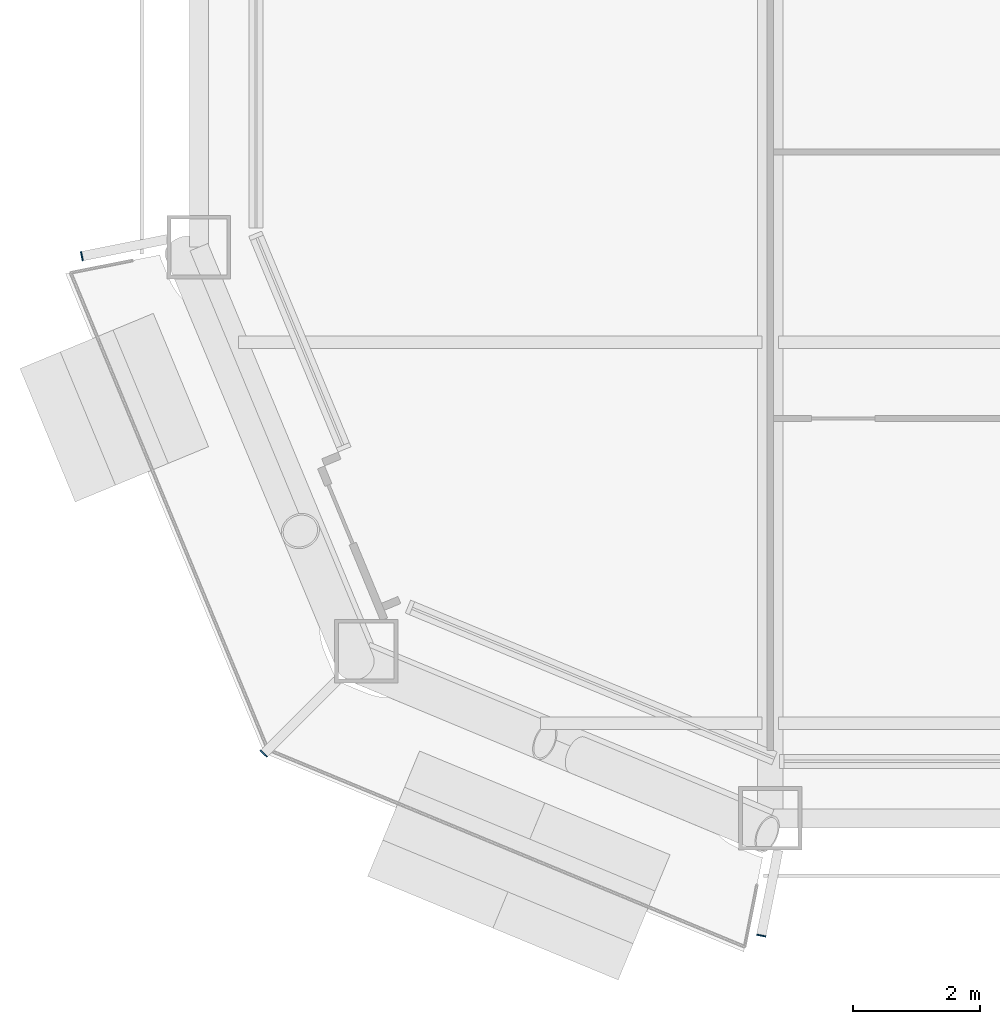
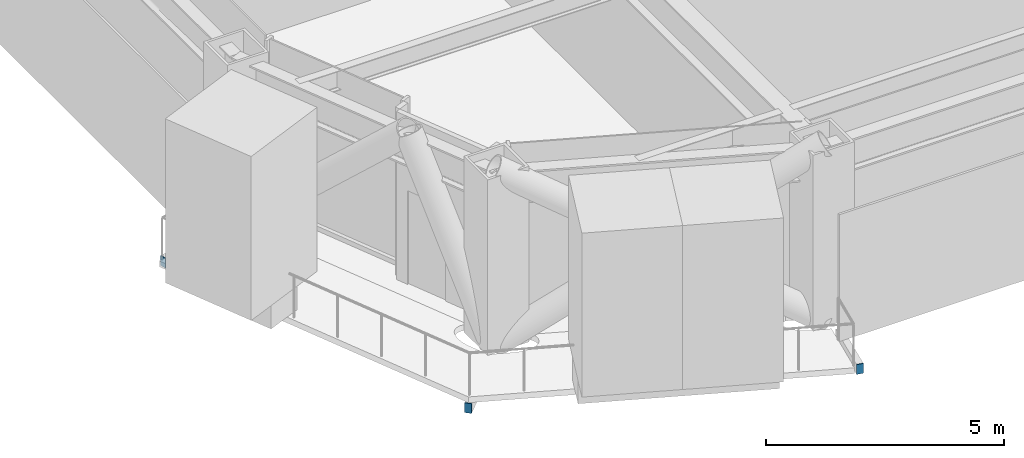
# One storey, part 18 of 27: 3 discrete accessories.
"""IFC4 building model written with IfcOpenShell, lengths in metres."""

import ifcopenshell
import ifcopenshell.guid

model = None  # the IFC model being written
_history = None  # IfcOwnerHistory: only IFC2X3 demands one
_inside = {}  # id of a spatial element -> (the spatial element, [elements in it])
_under = {}  # id of a project, library or spatial element -> (it, [spatial elements below it])
_declared = {}  # id of a project -> (the project, [libraries it declares])
_typed = {}  # id of a type object -> (the type object, [elements of that type])
_made_of = {}  # id of a material, layer set ... -> (it, [elements and type objects made of it])


def new_model(schema):
    """Start an empty IFC model of exactly this schema.

    Asked for "IFC4X3", IfcOpenShell would pick the latest addendum, in which some entities
    have other attributes; the version numbers below select the first issue.
    IFC2X3 requires an IfcOwnerHistory on every rooted entity: one is made here for all.
    """
    global model, _history
    if schema == "IFC4X3":
        model = ifcopenshell.file(schema_version=(4, 3, 0, 0))
    else:
        model = ifcopenshell.file(schema=schema)
    _inside.clear()
    _under.clear()
    _declared.clear()
    _typed.clear()
    _made_of.clear()
    _history = None
    if model.schema == "IFC2X3":
        org = make("IfcOrganization", Name="unknown")
        user = make(
            "IfcPersonAndOrganization",
            ThePerson=make("IfcPerson", FamilyName="unknown"),
            TheOrganization=org,
        )
        app = make(
            "IfcApplication",
            ApplicationDeveloper=org,
            Version="unknown",
            ApplicationFullName="unknown",
            ApplicationIdentifier="unknown",
        )
        _history = make(
            "IfcOwnerHistory",
            OwningUser=user,
            OwningApplication=app,
            ChangeAction="ADDED",
            CreationDate=0,
        )
    return model


def make(cls, **values):
    """One entity of the class cls with the attributes given. An attribute that is None is left unset."""
    return model.create_entity(
        cls, **{name: value for name, value in values.items() if value is not None}
    )


def rooted(cls, **values):
    """An entity with a GlobalId (a new one), such as an element, a storey or a relation."""
    return make(cls, GlobalId=ifcopenshell.guid.new(), OwnerHistory=_history, **values)


def si_unit(unit_type, name, prefix=None):
    """IfcSIUnit, for example si_unit("LENGTHUNIT", "METRE", prefix="MILLI")."""
    return make("IfcSIUnit", UnitType=unit_type, Prefix=prefix, Name=name)


def assignment(units):
    """IfcUnitAssignment: the units of a project."""
    return None if units is None else make("IfcUnitAssignment", Units=units)


def point(xyz):
    """IfcCartesianPoint."""
    return None if xyz is None else make("IfcCartesianPoint", Coordinates=xyz)


def direction(xyz):
    """IfcDirection."""
    return None if xyz is None else make("IfcDirection", DirectionRatios=xyz)


def frame(location, z_axis=None, x_axis=None):
    """IfcAxis2Placement3D, a coordinate frame: its origin and axes. An axis left out is left unset."""
    return make(
        "IfcAxis2Placement3D",
        Location=point(location),
        Axis=direction(z_axis),
        RefDirection=direction(x_axis),
    )


def frame_2d(location, x_axis=None):
    """IfcAxis2Placement2D, a coordinate frame in the plane: its origin and x axis."""
    return make(
        "IfcAxis2Placement2D", Location=point(location), RefDirection=direction(x_axis)
    )


def origin():
    """The frame at (0, 0, 0) with its axes left unset."""
    return frame((0.0, 0.0, 0.0))


def origin_2d():
    """The frame at (0, 0) in the plane with its x axis left unset."""
    return frame_2d((0.0, 0.0))


def place(relative_to, where):
    """IfcLocalPlacement: puts the frame where relative to a parent placement (None: the world)."""
    return make(
        "IfcLocalPlacement", PlacementRelTo=relative_to, RelativePlacement=where
    )


def context(
    kind, dimensions, precision=None, world=None, true_north=None, identifier=None
):
    """IfcGeometricRepresentationContext, for example the 3D "Model" context."""
    return make(
        "IfcGeometricRepresentationContext",
        ContextIdentifier=identifier,
        ContextType=kind,
        CoordinateSpaceDimension=dimensions,
        Precision=precision,
        WorldCoordinateSystem=world,
        TrueNorth=true_north,
    )


def subcontext(parent, identifier, kind, view, scale=None):
    """IfcGeometricRepresentationSubContext, for example "Body" below "Model"."""
    return make(
        "IfcGeometricRepresentationSubContext",
        ContextIdentifier=identifier,
        ContextType=kind,
        ParentContext=parent,
        TargetScale=scale,
        TargetView=view,
    )


def project(units=None, contexts=None):
    """IfcProject with its units and contexts."""
    return rooted(
        "IfcProject",
        Name="project",
        RepresentationContexts=contexts,
        UnitsInContext=assignment(units),
    )


def spatial(cls, under=None, at=None, **own):
    """A site, building, storey or space (cls), placed at a placement, below another one or the project."""
    s = rooted(cls, ObjectPlacement=at, **own)
    if under is not None:
        _under.setdefault(under.id(), (under, []))[1].append(s)
    return s


def profile(cls, at=None, kind="AREA", **sizes):
    """A parametric profile (cls). Its sizes go by their IFC names, for example OverallWidth=200.0."""
    return make(cls, ProfileType=kind, Position=at, **sizes)


def rectangle(**sizes):
    """IfcRectangleProfileDef."""
    return profile("IfcRectangleProfileDef", **sizes)


def extrude(swept, where, along, depth):
    """IfcExtrudedAreaSolid: the profile swept, set in the frame where, extruded along a direction by depth."""
    return make(
        "IfcExtrudedAreaSolid",
        SweptArea=swept,
        Position=where,
        ExtrudedDirection=direction(along),
        Depth=depth,
    )


def shape(context_of_items, identifier, shape_type, items):
    """IfcShapeRepresentation: the items that make up one representation, for example the "Body"."""
    return make(
        "IfcShapeRepresentation",
        ContextOfItems=context_of_items,
        RepresentationIdentifier=identifier,
        RepresentationType=shape_type,
        Items=items,
    )


def material(Name=None, Category=None):
    """IfcMaterial."""
    return make("IfcMaterial", Name=Name, Category=Category)


def layer(
    of_material, thickness, ventilated=None, Name=None, Category=None, Priority=None
):
    """IfcMaterialLayer: one layer of a wall or slab, of a material (None: an air gap)."""
    return make(
        "IfcMaterialLayer",
        Material=of_material,
        LayerThickness=thickness,
        IsVentilated=ventilated,
        Name=Name,
        Category=Category,
        Priority=Priority,
    )


def layer_set(layers, Name=None):
    """IfcMaterialLayerSet."""
    return make("IfcMaterialLayerSet", MaterialLayers=layers, LayerSetName=Name)


def made_of(thing, what):
    """Note that an element or type object is made of a material, layer set ...; save() writes the relation."""
    if what is not None:
        _made_of.setdefault(what.id(), (what, []))[1].append(thing)
    return thing


def type_object(cls, material=None, **own):
    """A type object (cls), such as IfcWallType, which elements share."""
    return made_of(rooted(cls, **own), material)


def element(
    cls,
    number,
    at=None,
    inside=None,
    cuts=None,
    type_object=None,
    material=None,
    context=None,
    identifier="Body",
    shape_type=None,
    held_by="IfcProductDefinitionShape",
    body=None,
    shapes=None,
    **own,
):
    """One element of the class cls, such as IfcWall. Its Tag is "e" and its number.

    at: its placement. inside: the storey or other place that contains it. cuts: it is an
    opening in that element (IfcRelVoidsElement). A single representation is given by context,
    identifier, shape_type and body (its items); several are given by shapes. held_by: the class
    of the entity that holds the representations. save() writes the other relations.
    """
    e = rooted(cls, Tag="e%d" % number, ObjectPlacement=at, **own)
    if body is not None:
        shapes = [shape(context, identifier, shape_type, body)]
    if shapes is not None:
        e.Representation = make(held_by, Representations=shapes)
    if inside is not None:
        _inside.setdefault(inside.id(), (inside, []))[1].append(e)
    if cuts is not None:
        rooted(
            "IfcRelVoidsElement", RelatingBuildingElement=cuts, RelatedOpeningElement=e
        )
    if type_object is not None:
        _typed.setdefault(type_object.id(), (type_object, []))[1].append(e)
    return made_of(e, material)


def aggregate(whole, parts):
    """IfcRelAggregates: a whole, such as a stair, and the parts it consists of."""
    return rooted("IfcRelAggregates", RelatingObject=whole, RelatedObjects=parts)


def save(model, path):
    """Write the relations noted so far, then the file.

    IfcRelAggregates (storeys below a building ...), IfcRelContainedInSpatialStructure (elements
    in a storey), IfcRelDefinesByType, IfcRelAssociatesMaterial and IfcRelDeclares: one each for
    every whole, place, type object, material and project.
    """
    for whole, parts in _under.values():
        aggregate(whole, parts)
    for where, things in _inside.values():
        rooted(
            "IfcRelContainedInSpatialStructure",
            RelatedElements=things,
            RelatingStructure=where,
        )
    for kind, things in _typed.values():
        rooted("IfcRelDefinesByType", RelatedObjects=things, RelatingType=kind)
    for what, things in _made_of.values():
        rooted("IfcRelAssociatesMaterial", RelatedObjects=things, RelatingMaterial=what)
    for by, libraries in _declared.values():
        rooted("IfcRelDeclares", RelatingContext=by, RelatedDefinitions=libraries)
    model.write(path)


model = new_model("IFC4")

# Units and contexts
model_context = context("Model", 3, precision=1e-05, world=origin(), true_north=direction((0.0, 1.0)))
body_context = subcontext(model_context, "Body", "Model", "MODEL_VIEW")
ifc_project = project(units=[si_unit("LENGTHUNIT", "METRE"), si_unit("AREAUNIT", "SQUARE_METRE"), si_unit("VOLUMEUNIT", "CUBIC_METRE"), si_unit("PLANEANGLEUNIT", "RADIAN"), si_unit("MASSUNIT", "GRAM", prefix="KILO")], contexts=[model_context])

# Site, building, storey
site_placement = place(None, origin())
site = spatial("IfcSite", under=ifc_project, at=site_placement, CompositionType="ELEMENT")
building_placement = place(site_placement, origin())
building = spatial("IfcBuilding", under=site, at=building_placement, Name="Siwar Civic Tower", CompositionType="ELEMENT")
storey_placement = place(building_placement, frame((0.0, 0.0, 89.699951171875)))
storey = spatial("IfcBuildingStorey", under=building, at=storey_placement, Name="L19", CompositionType="ELEMENT", Elevation=89.699951171875)

# Discrete accessories
ifc_material = material(Name="Steel S355", Category="steel")
ifc_layer = layer(ifc_material, 0.02001953125)
ifc_layer_set = layer_set([ifc_layer], Name="Steel S355")
discrete_accessory_type = type_object("IfcDiscreteAccessoryType", Name="STR-END-CAP", PredefinedType="USERDEFINED", material=ifc_layer_set)
for number, where, z_axis, x_axis, name in (
    (1, (-33.3447265625, -22.642578125, -0.39990234375), (0.0, 0.0, 1.0), (-0.980785280383, -0.195090322119, 0.0), "End cap plate Balcony cantilever beam SW 1"),
    (2, (-30.478271484375, -30.478271484375, -0.39990234375), (0.0, 0.0, 1.0), (-0.707106781187, -0.707106781187, 0.0), "End cap plate Balcony cantilever beam SW 2"),
    (3, (-22.642578125, -33.3447265625, -0.39990234375), (0.0, 0.0, 1.0), (-0.195090322119, -0.980785280383, 0.0), "End cap plate Balcony cantilever beam SW 3"),
):
    element("IfcDiscreteAccessory", number, at=place(storey_placement, frame(where, z_axis=z_axis, x_axis=x_axis)), inside=storey, type_object=discrete_accessory_type, Name=name, ObjectType="END CAP PLATE", PredefinedType="USERDEFINED", context=body_context, shape_type="SweptSolid", body=[
        extrude(rectangle(XDim=0.02001953125, YDim=0.14990234375, at=origin_2d()), origin(), (0.0, 0.0, 1.0), 0.25),
    ])

save(model, "model.ifc")
